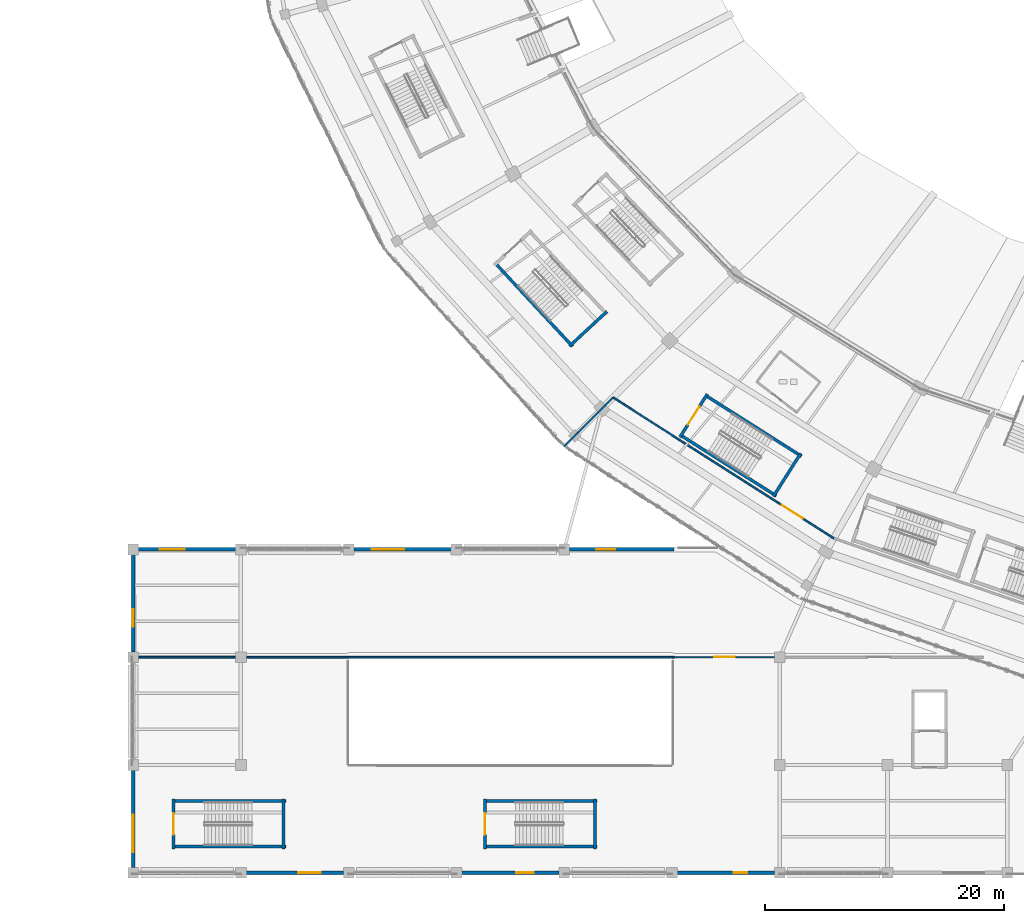
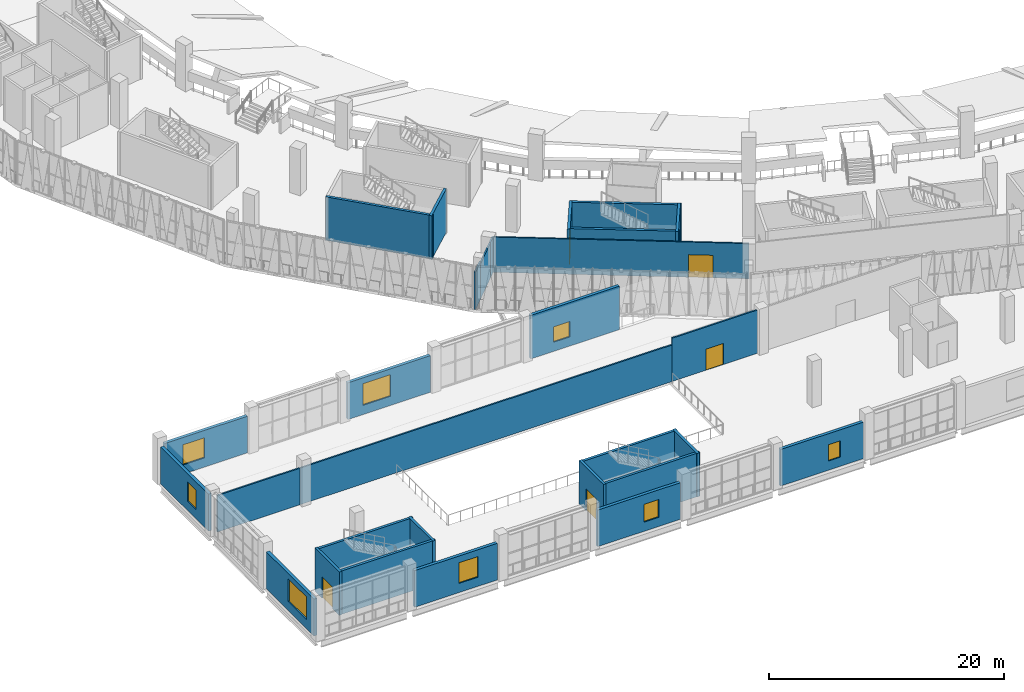
# One storey, part 97 of 183: 29 walls, 8 windows, 5 doors, 13 openings.
"""IFC4 building model written with IfcOpenShell, lengths in metres."""

from ifc_helpers import new_model, si_unit, direction, frame, frame_2d, origin, place, context, subcontext, project, spatial, rectangle, extrude, material, layer, layer_set, type_object, element, fill, save


model = new_model("IFC4")

# Units and contexts
model_context = context("Model", 3, precision=1e-05, world=origin(), true_north=direction((0.0, 1.0)))
body_context = subcontext(model_context, "Body", "Model", "MODEL_VIEW")
ifc_project = project(units=[si_unit("LENGTHUNIT", "METRE"), si_unit("AREAUNIT", "SQUARE_METRE"), si_unit("VOLUMEUNIT", "CUBIC_METRE"), si_unit("PLANEANGLEUNIT", "RADIAN"), si_unit("MASSUNIT", "GRAM", prefix="KILO")], contexts=[model_context])

# Site, building, storey
site_placement = place(None, origin())
site = spatial("IfcSite", under=ifc_project, at=site_placement, CompositionType="ELEMENT")
building_placement = place(site_placement, origin())
building = spatial("IfcBuilding", under=site, at=building_placement, Name="Zevraka Park Crest Stadium", CompositionType="ELEMENT")
storey_placement = place(building_placement, frame((0.0, 0.0, 5.39990234375)))
storey = spatial("IfcBuildingStorey", under=building, at=storey_placement, Name="L01", CompositionType="ELEMENT", Elevation=5.39990234375)

# Wall, opening, window
ifc_material_1 = material(Name="Limestone and red clay brick masonry", Category="masonry")
ifc_layer_1 = layer(ifc_material_1, 0.300048828125)
ifc_layer_set_1 = layer_set([ifc_layer_1], Name="Limestone and red clay brick masonry")
wall_type_1 = type_object("IfcWallType", Name="EW02", PredefinedType="STANDARD", material=ifc_layer_set_1)
wall_1_placement = place(storey_placement, frame((62.574951171875, 0.0, 0.0), z_axis=(0.0, 0.0, 1.0), x_axis=(-1.0, 0.0, 0.0)))
wall_1 = element("IfcWall", 1, at=wall_1_placement, inside=storey, type_object=wall_type_1, Name="Wing External Cavity Wall EW02 L01-SW-S1-3", PredefinedType="STANDARD", context=body_context, shape_type="SweptSolid", body=[
    extrude(rectangle(XDim=8.14990234375, YDim=0.300048828125, at=frame_2d((4.074951171875, 0.0))), origin(), (0.0, 0.0, 1.0), 3.8037109375),
])
opening_1_placement = place(wall_1_placement, frame((2.278076171875, 0.0, 0.949951171875)))
opening_1 = element("IfcOpeningElement", 2, at=opening_1_placement, cuts=wall_1, Name="Opening WN25", PredefinedType="OPENING", context=body_context, shape_type="SweptSolid", body=[
    extrude(rectangle(XDim=1.14990234375, YDim=1.699951171875, at=frame_2d((0.574951171875, 0.85009765625))), frame((0.0, 0.159912109375, 0.0), z_axis=(0.0, -1.0, 0.0), x_axis=(1.0, 0.0, 0.0)), (0.0, 0.0, 1.0), 0.320068359375),
])
ifc_material_2 = material(Name="Solar-control laminated double glazing in aluminium frame", Category="aluminium")
window_type_1 = type_object("IfcWindowType", Name="WN25", PartitioningType="SINGLE_PANEL", PredefinedType="WINDOW", material=ifc_material_2)
window_1_placement = place(opening_1_placement, origin())
window_1 = element("IfcWindow", 3, at=window_1_placement, inside=storey, type_object=window_type_1, Name="Facade Casement Window WN25 W-L01-066", OverallHeight=1.699951171875, OverallWidth=1.14990234375, PartitioningType="SINGLE_PANEL", PredefinedType="WINDOW", context=body_context, shape_type="SweptSolid", body=[
    extrude(rectangle(XDim=1.14990234375, YDim=1.699951171875, at=frame_2d((0.574951171875, 0.85009765625))), frame((0.0, 0.030029296875, 0.0), z_axis=(0.0, -1.0, 0.0), x_axis=(1.0, 0.0, 0.0)), (0.0, 0.0, 1.0), 0.06005859375),
])
fill(opening_1, window_1)

wall_2_placement = place(storey_placement, frame((44.574951171875, 0.0, 0.0), z_axis=(0.0, 0.0, 1.0), x_axis=(-1.0, 0.0, 0.0)))
wall_2 = element("IfcWall", 4, at=wall_2_placement, inside=storey, type_object=wall_type_1, Name="Wing External Cavity Wall EW02 L01-SW-S1-5", PredefinedType="STANDARD", context=body_context, shape_type="SweptSolid", body=[
    extrude(rectangle(XDim=8.14990234375, YDim=0.300048828125, at=frame_2d((4.074951171875, 0.0))), origin(), (0.0, 0.0, 1.0), 3.8037109375),
])
opening_2_placement = place(wall_2_placement, frame((2.1279296875, 0.0, 0.949951171875)))
opening_2 = element("IfcOpeningElement", 5, at=opening_2_placement, cuts=wall_2, Name="Opening WN26", PredefinedType="OPENING", context=body_context, shape_type="SweptSolid", body=[
    extrude(rectangle(XDim=1.449951171875, YDim=1.85009765625, at=frame_2d((0.72509765625, 0.925048828125))), frame((0.0, 0.159912109375, 0.0), z_axis=(0.0, -1.0, 0.0), x_axis=(1.0, 0.0, 0.0)), (0.0, 0.0, 1.0), 0.320068359375),
])
ifc_material_3 = material(Name="Solar-control laminated double glazing in aluminium frame", Category="aluminium")
window_type_2 = type_object("IfcWindowType", Name="WN26", PartitioningType="SINGLE_PANEL", PredefinedType="WINDOW", material=ifc_material_3)
window_2_placement = place(opening_2_placement, origin())
window_2 = element("IfcWindow", 6, at=window_2_placement, inside=storey, type_object=window_type_2, Name="Facade Casement Window WN26 W-L01-067", OverallHeight=1.85009765625, OverallWidth=1.449951171875, PartitioningType="SINGLE_PANEL", PredefinedType="WINDOW", context=body_context, shape_type="SweptSolid", body=[
    extrude(rectangle(XDim=1.449951171875, YDim=1.85009765625, at=frame_2d((0.72509765625, 0.925048828125))), frame((0.0, 0.030029296875, 0.0), z_axis=(0.0, -1.0, 0.0), x_axis=(1.0, 0.0, 0.0)), (0.0, 0.0, 1.0), 0.06005859375),
])
fill(opening_2, window_2)

wall_3_placement = place(storey_placement, frame((26.574951171875, 0.0, 0.0), z_axis=(0.0, 0.0, 1.0), x_axis=(-1.0, 0.0, 0.0)))
wall_3 = element("IfcWall", 7, at=wall_3_placement, inside=storey, type_object=wall_type_1, Name="Wing External Cavity Wall EW02 L01-SW-S1-7", PredefinedType="STANDARD", context=body_context, shape_type="SweptSolid", body=[
    extrude(rectangle(XDim=8.14990234375, YDim=0.300048828125, at=frame_2d((4.074951171875, 0.0))), origin(), (0.0, 0.0, 1.0), 3.8037109375),
])
opening_3_placement = place(wall_3_placement, frame((1.927001953125, 0.0, 0.949951171875)))
opening_3 = element("IfcOpeningElement", 8, at=opening_3_placement, cuts=wall_3, Name="Opening WN27", PredefinedType="OPENING", context=body_context, shape_type="SweptSolid", body=[
    extrude(rectangle(XDim=1.85009765625, YDim=2.14990234375, at=frame_2d((0.925048828125, 1.074951171875))), frame((0.0, 0.159912109375, 0.0), z_axis=(0.0, -1.0, 0.0), x_axis=(1.0, 0.0, 0.0)), (0.0, 0.0, 1.0), 0.320068359375),
])
ifc_material_4 = material(Name="Solar-control laminated double glazing in aluminium frame", Category="aluminium")
window_type_3 = type_object("IfcWindowType", Name="WN27", PartitioningType="SINGLE_PANEL", PredefinedType="WINDOW", material=ifc_material_4)
window_3_placement = place(opening_3_placement, origin())
window_3 = element("IfcWindow", 9, at=window_3_placement, inside=storey, type_object=window_type_3, Name="Facade Casement Window WN27 W-L01-068", OverallHeight=2.14990234375, OverallWidth=1.85009765625, PartitioningType="SINGLE_PANEL", PredefinedType="WINDOW", context=body_context, shape_type="SweptSolid", body=[
    extrude(rectangle(XDim=1.85009765625, YDim=2.14990234375, at=frame_2d((0.925048828125, 1.074951171875))), frame((0.0, 0.030029296875, 0.0), z_axis=(0.0, -1.0, 0.0), x_axis=(1.0, 0.0, 0.0)), (0.0, 0.0, 1.0), 0.06005859375),
])
fill(opening_3, window_3)

wall_4_placement = place(storey_placement, frame((9.0, 0.425048828125, 0.0), z_axis=(0.0, 0.0, 1.0), x_axis=(0.0, 1.0, 0.0)))
wall_4 = element("IfcWall", 10, at=wall_4_placement, inside=storey, type_object=wall_type_1, Name="Wing External Cavity Wall EW02 L01-SW-W-1", PredefinedType="STANDARD", context=body_context, shape_type="SweptSolid", body=[
    extrude(rectangle(XDim=8.14990234375, YDim=0.300048828125, at=frame_2d((4.074951171875, 0.0))), origin(), (0.0, 0.0, 1.0), 3.837158203125),
])
opening_4_placement = place(wall_4_placement, frame((1.302001953125, 0.0, 0.949951171875)))
opening_4 = element("IfcOpeningElement", 11, at=opening_4_placement, cuts=wall_4, Name="Opening WN36", PredefinedType="OPENING", context=body_context, shape_type="SweptSolid", body=[
    extrude(rectangle(XDim=3.10009765625, YDim=2.35009765625, at=frame_2d((1.550048828125, 1.175048828125))), frame((0.0, 0.159912109375, 0.0), z_axis=(0.0, -1.0, 0.0), x_axis=(1.0, 0.0, 0.0)), (0.0, 0.0, 1.0), 0.320068359375),
])
ifc_material_5 = material(Name="Solar-control laminated double glazing in aluminium frame", Category="aluminium")
window_type_4 = type_object("IfcWindowType", Name="WN36", PartitioningType="SINGLE_PANEL", PredefinedType="WINDOW", material=ifc_material_5)
window_4_placement = place(opening_4_placement, origin())
window_4 = element("IfcWindow", 12, at=window_4_placement, inside=storey, type_object=window_type_4, Name="Facade Casement Window WN36 W-L01-077", OverallHeight=2.35009765625, OverallWidth=3.10009765625, PartitioningType="SINGLE_PANEL", PredefinedType="WINDOW", context=body_context, shape_type="SweptSolid", body=[
    extrude(rectangle(XDim=3.10009765625, YDim=2.35009765625, at=frame_2d((1.550048828125, 1.175048828125))), frame((0.0, 0.030029296875, 0.0), z_axis=(0.0, -1.0, 0.0), x_axis=(1.0, 0.0, 0.0)), (0.0, 0.0, 1.0), 0.06005859375),
])
fill(opening_4, window_4)

wall_5_placement = place(storey_placement, frame((9.0, 18.425048828125, 0.0), z_axis=(0.0, 0.0, 1.0), x_axis=(0.0, 1.0, 0.0)))
wall_5 = element("IfcWall", 13, at=wall_5_placement, inside=storey, type_object=wall_type_1, Name="Wing External Cavity Wall EW02 L01-SW-W-3", PredefinedType="STANDARD", context=body_context, shape_type="SweptSolid", body=[
    extrude(rectangle(XDim=8.14990234375, YDim=0.300048828125, at=frame_2d((4.074951171875, 0.0))), origin(), (0.0, 0.0, 1.0), 3.837158203125),
])
opening_5_placement = place(wall_5_placement, frame((2.112060546875, 0.0, 0.949951171875)))
opening_5 = element("IfcOpeningElement", 14, at=opening_5_placement, cuts=wall_5, Name="Opening WN37", PredefinedType="OPENING", context=body_context, shape_type="SweptSolid", body=[
    extrude(rectangle(XDim=1.47998046875, YDim=2.050048828125, at=frame_2d((0.739990234375, 1.02490234375))), frame((0.0, 0.159912109375, 0.0), z_axis=(0.0, -1.0, 0.0), x_axis=(1.0, 0.0, 0.0)), (0.0, 0.0, 1.0), 0.320068359375),
])
ifc_material_6 = material(Name="Solar-control laminated double glazing in aluminium frame", Category="aluminium")
window_type_5 = type_object("IfcWindowType", Name="WN37", PartitioningType="SINGLE_PANEL", PredefinedType="WINDOW", material=ifc_material_6)
window_5_placement = place(opening_5_placement, origin())
window_5 = element("IfcWindow", 15, at=window_5_placement, inside=storey, type_object=window_type_5, Name="Facade Casement Window WN37 W-L01-078", OverallHeight=2.050048828125, OverallWidth=1.47998046875, PartitioningType="SINGLE_PANEL", PredefinedType="WINDOW", context=body_context, shape_type="SweptSolid", body=[
    extrude(rectangle(XDim=1.47998046875, YDim=2.050048828125, at=frame_2d((0.739990234375, 1.02490234375))), frame((0.0, 0.030029296875, 0.0), z_axis=(0.0, -1.0, 0.0), x_axis=(1.0, 0.0, 0.0)), (0.0, 0.0, 1.0), 0.06005859375),
])
fill(opening_5, window_5)

wall_6_placement = place(storey_placement, frame((9.425048828125, 27.0, 0.0), z_axis=(0.0, 0.0, 1.0), x_axis=(1.0, 0.0, 0.0)))
wall_6 = element("IfcWall", 16, at=wall_6_placement, inside=storey, type_object=wall_type_1, Name="Wing External Cavity Wall EW02 L01-SW-N-1", PredefinedType="STANDARD", context=body_context, shape_type="SweptSolid", body=[
    extrude(rectangle(XDim=8.14990234375, YDim=0.300048828125, at=frame_2d((4.074951171875, 0.0))), origin(), (0.0, 0.0, 1.0), 3.8037109375),
])
opening_6_placement = place(wall_6_placement, frame((1.802001953125, 0.0, 0.949951171875)))
opening_6 = element("IfcOpeningElement", 17, at=opening_6_placement, cuts=wall_6, Name="Opening WN06", PredefinedType="OPENING", context=body_context, shape_type="SweptSolid", body=[
    extrude(rectangle(XDim=2.10009765625, YDim=2.10009765625, at=frame_2d((1.050048828125, 1.050048828125))), frame((0.0, 0.159912109375, 0.0), z_axis=(0.0, -1.0, 0.0), x_axis=(1.0, 0.0, 0.0)), (0.0, 0.0, 1.0), 0.320068359375),
])
ifc_material_7 = material(Name="Solar-control laminated double glazing in aluminium frame", Category="aluminium")
window_type_6 = type_object("IfcWindowType", Name="WN06", PartitioningType="SINGLE_PANEL", PredefinedType="WINDOW", material=ifc_material_7)
window_6_placement = place(opening_6_placement, origin())
window_6 = element("IfcWindow", 18, at=window_6_placement, inside=storey, type_object=window_type_6, Name="Facade Casement Window WN06 W-L01-088", OverallHeight=2.10009765625, OverallWidth=2.10009765625, PartitioningType="SINGLE_PANEL", PredefinedType="WINDOW", context=body_context, shape_type="SweptSolid", body=[
    extrude(rectangle(XDim=2.10009765625, YDim=2.10009765625, at=frame_2d((1.050048828125, 1.050048828125))), frame((0.0, 0.030029296875, 0.0), z_axis=(0.0, -1.0, 0.0), x_axis=(1.0, 0.0, 0.0)), (0.0, 0.0, 1.0), 0.06005859375),
])
fill(opening_6, window_6)

wall_7_placement = place(storey_placement, frame((27.425048828125, 27.0, 0.0), z_axis=(0.0, 0.0, 1.0), x_axis=(1.0, 0.0, 0.0)))
wall_7 = element("IfcWall", 19, at=wall_7_placement, inside=storey, type_object=wall_type_1, Name="Wing External Cavity Wall EW02 L01-SW-N-3", PredefinedType="STANDARD", context=body_context, shape_type="SweptSolid", body=[
    extrude(rectangle(XDim=8.14990234375, YDim=0.300048828125, at=frame_2d((4.074951171875, 0.0))), origin(), (0.0, 0.0, 1.0), 3.8037109375),
])
opening_7_placement = place(wall_7_placement, frame((1.5029296875, 0.0, 0.949951171875)))
opening_7 = element("IfcOpeningElement", 20, at=opening_7_placement, cuts=wall_7, Name="Opening WN07", PredefinedType="OPENING", context=body_context, shape_type="SweptSolid", body=[
    extrude(rectangle(XDim=2.699951171875, YDim=2.25, at=frame_2d((1.35009765625, 1.125))), frame((0.0, 0.159912109375, 0.0), z_axis=(0.0, -1.0, 0.0), x_axis=(1.0, 0.0, 0.0)), (0.0, 0.0, 1.0), 0.320068359375),
])
ifc_material_8 = material(Name="Solar-control laminated double glazing in aluminium frame", Category="aluminium")
window_type_7 = type_object("IfcWindowType", Name="WN07", PartitioningType="SINGLE_PANEL", PredefinedType="WINDOW", material=ifc_material_8)
window_7_placement = place(opening_7_placement, origin())
window_7 = element("IfcWindow", 21, at=window_7_placement, inside=storey, type_object=window_type_7, Name="Facade Casement Window WN07 W-L01-089", OverallHeight=2.25, OverallWidth=2.699951171875, PartitioningType="SINGLE_PANEL", PredefinedType="WINDOW", context=body_context, shape_type="SweptSolid", body=[
    extrude(rectangle(XDim=2.699951171875, YDim=2.25, at=frame_2d((1.35009765625, 1.125))), frame((0.0, 0.030029296875, 0.0), z_axis=(0.0, -1.0, 0.0), x_axis=(1.0, 0.0, 0.0)), (0.0, 0.0, 1.0), 0.06005859375),
])
fill(opening_7, window_7)

wall_8_placement = place(storey_placement, frame((45.425048828125, 27.0, 0.0), z_axis=(0.0, 0.0, 1.0), x_axis=(1.0, 0.0, 0.0)))
wall_8 = element("IfcWall", 22, at=wall_8_placement, inside=storey, type_object=wall_type_1, Name="Wing External Cavity Wall EW02 L01-SW-N-5", PredefinedType="STANDARD", context=body_context, shape_type="SweptSolid", body=[
    extrude(rectangle(XDim=8.724853515625, YDim=0.300048828125, at=frame_2d((4.3623046875, 0.0))), origin(), (0.0, 0.0, 1.0), 4.52001953125),
])
opening_8_placement = place(wall_8_placement, frame((2.25390625, 0.0, 0.949951171875)))
opening_8 = element("IfcOpeningElement", 23, at=opening_8_placement, cuts=wall_8, Name="Opening WN08", PredefinedType="OPENING", context=body_context, shape_type="SweptSolid", body=[
    extrude(rectangle(XDim=1.60009765625, YDim=1.60009765625, at=frame_2d((0.800048828125, 0.800048828125))), frame((0.0, 0.159912109375, 0.0), z_axis=(0.0, -1.0, 0.0), x_axis=(1.0, 0.0, 0.0)), (0.0, 0.0, 1.0), 0.320068359375),
])
ifc_material_9 = material(Name="Solar-control laminated double glazing in aluminium frame", Category="aluminium")
window_type_8 = type_object("IfcWindowType", Name="WN08", PartitioningType="SINGLE_PANEL", PredefinedType="WINDOW", material=ifc_material_9)
window_8_placement = place(opening_8_placement, origin())
window_8 = element("IfcWindow", 24, at=window_8_placement, inside=storey, type_object=window_type_8, Name="Facade Casement Window WN08 W-L01-090", OverallHeight=1.60009765625, OverallWidth=1.60009765625, PartitioningType="SINGLE_PANEL", PredefinedType="WINDOW", context=body_context, shape_type="SweptSolid", body=[
    extrude(rectangle(XDim=1.60009765625, YDim=1.60009765625, at=frame_2d((0.800048828125, 0.800048828125))), frame((0.0, 0.030029296875, 0.0), z_axis=(0.0, -1.0, 0.0), x_axis=(1.0, 0.0, 0.0)), (0.0, 0.0, 1.0), 0.06005859375),
])
fill(opening_8, window_8)

# Wall, opening, door
ifc_material_10 = material(Name="Fire-rated twin-stud acoustic drywall", Category="other")
ifc_layer_2 = layer(ifc_material_10, 0.139892578125)
ifc_layer_set_2 = layer_set([ifc_layer_2], Name="Fire-rated twin-stud acoustic drywall")
wall_type_2 = type_object("IfcWallType", Name="IW03", PredefinedType="PARTITIONING", material=ifc_layer_set_2)
wall_9_placement = place(storey_placement, frame((49.08203125, 39.68798828125, 0.0), z_axis=(0.0, 0.0, 1.0), x_axis=(0.843035459997, -0.537857986077, 0.0)))
wall_9 = element("IfcWall", 25, at=wall_9_placement, inside=storey, type_object=wall_type_2, Name="Interior Partition IW03 Spectator First-Aid Suite L01", PredefinedType="PARTITIONING", context=body_context, shape_type="SweptSolid", body=[
    extrude(rectangle(XDim=21.859130859375, YDim=0.139892578125, at=frame_2d((10.9296875, 0.0))), origin(), (0.0, 0.0, 1.0), 3.6650390625),
])
opening_9_placement = place(wall_9_placement, frame((16.697998046875, 0.0, 0.0)))
opening_9 = element("IfcOpeningElement", 26, at=opening_9_placement, cuts=wall_9, Name="Opening D-L01-378", PredefinedType="OPENING", context=body_context, shape_type="SweptSolid", body=[
    extrude(rectangle(XDim=2.10009765625, YDim=2.35009765625, at=frame_2d((1.050048828125, 1.175048828125))), frame((0.0, 0.079833984375, 0.0), z_axis=(0.0, -1.0, 0.0), x_axis=(1.0, 0.0, 0.0)), (0.0, 0.0, 1.0), 0.159912109375),
])
ifc_material_11 = material(Name="Solid-core hardwood timber leaf in steel frame", Category="steel")
door_type_1 = type_object("IfcDoorType", Name="DR17", OperationType="NOTDEFINED", PredefinedType="DOOR", material=ifc_material_11)
door_1_placement = place(opening_9_placement, origin())
door_1 = element("IfcDoor", 27, at=door_1_placement, inside=storey, type_object=door_type_1, Name="Spectator First-Aid Suite Door D-L01-378", OperationType="DOUBLE_DOOR_SINGLE_SWING", OverallHeight=2.35009765625, OverallWidth=2.10009765625, PredefinedType="DOOR", context=body_context, shape_type="SweptSolid", body=[
    extrude(rectangle(XDim=2.10009765625, YDim=2.35009765625, at=frame_2d((1.050048828125, 1.175048828125))), frame((0.0, 0.02490234375, 0.0), z_axis=(0.0, -1.0, 0.0), x_axis=(1.0, 0.0, 0.0)), (0.0, 0.0, 1.0), 0.050048828125),
])
fill(opening_9, door_1)

# Walls
wall_10_placement = place(storey_placement, frame((49.08203125, 39.68798828125, 0.0), z_axis=(0.0, 0.0, 1.0), x_axis=(-0.707237352097, -0.706976186162, 0.0)))
element("IfcWall", 28, at=wall_10_placement, inside=storey, type_object=wall_type_2, Name="Interior Partition IW03 Spectator First-Aid Suite L01", PredefinedType="PARTITIONING", context=body_context, shape_type="SweptSolid", body=[
    extrude(rectangle(XDim=0.934814453125, YDim=0.139892578125, at=frame_2d((0.46728515625, 0.0))), origin(), (0.0, 0.0, 1.0), 3.6650390625),
])
wall_11_placement = place(storey_placement, frame((48.431884765625, 39.037109375, 0.0), z_axis=(0.0, 0.0, 1.0), x_axis=(-0.70740812646, -0.706805307435, 0.0)))
element("IfcWall", 29, at=wall_11_placement, inside=storey, type_object=wall_type_2, Name="Interior Partition IW03 Spectator First-Aid Suite L01", PredefinedType="PARTITIONING", context=body_context, shape_type="SweptSolid", body=[
    extrude(rectangle(XDim=3.239990234375, YDim=0.139892578125, at=frame_2d((1.6201171875, 0.0))), origin(), (0.0, 0.0, 1.0), 3.6650390625),
])
wall_12_placement = place(storey_placement, frame((46.15087890625, 36.758056640625, 0.0), z_axis=(0.0, 0.0, 1.0), x_axis=(-0.707033932397, -0.707179622472, 0.0)))
element("IfcWall", 30, at=wall_12_placement, inside=storey, type_object=wall_type_2, Name="Interior Partition IW03 Spectator First-Aid Suite L01", PredefinedType="PARTITIONING", context=body_context, shape_type="SweptSolid", body=[
    extrude(rectangle(XDim=1.67578125, YDim=0.139892578125, at=frame_2d((0.837890625, 0.0))), origin(), (0.0, 0.0, 1.0), 3.9150390625),
])
ifc_material_12 = material(Name="Fire-rated twin-stud acoustic drywall", Category="other")
ifc_layer_3 = layer(ifc_material_12, 0.14990234375)
ifc_layer_set_3 = layer_set([ifc_layer_3], Name="Fire-rated twin-stud acoustic drywall")
wall_type_3 = type_object("IfcWallType", Name="IW05", PredefinedType="PARTITIONING", material=ifc_layer_set_3)
wall_13_placement = place(storey_placement, frame((9.43505859375, 18.0, 0.0), z_axis=(0.0, 0.0, 1.0), x_axis=(1.0, 0.0, 0.0)))
element("IfcWall", 31, at=wall_13_placement, inside=storey, type_object=wall_type_3, Name="Interior Partition IW05 Broadcast Technical Operations Compound L01", PredefinedType="PARTITIONING", context=body_context, shape_type="SweptSolid", body=[
    extrude(rectangle(XDim=8.1298828125, YDim=0.14990234375, at=frame_2d((4.06494140625, 0.0))), origin(), (0.0, 0.0, 1.0), 3.8037109375),
])
wall_14_placement = place(storey_placement, frame((17.550048828125, 18.0, 0.0), z_axis=(0.0, 0.0, 1.0), x_axis=(1.0, 0.0, 0.0)))
element("IfcWall", 32, at=wall_14_placement, inside=storey, type_object=wall_type_3, Name="Interior Partition IW05 Broadcast Technical Operations Compound L01", PredefinedType="PARTITIONING", context=body_context, shape_type="SweptSolid", body=[
    extrude(rectangle(XDim=36.64990234375, YDim=0.14990234375, at=frame_2d((18.324951171875, 0.0))), origin(), (0.0, 0.0, 1.0), 3.8037109375),
])

# Wall, opening, door
wall_15_placement = place(storey_placement, frame((54.199951171875, 18.0, 0.0), z_axis=(0.0, 0.0, 1.0), x_axis=(1.0, 0.0, 0.0)))
wall_15 = element("IfcWall", 33, at=wall_15_placement, inside=storey, type_object=wall_type_3, Name="Interior Partition IW05 Broadcast Technical Operations Compound L01", PredefinedType="PARTITIONING", context=body_context, shape_type="SweptSolid", body=[
    extrude(rectangle(XDim=8.364990234375, YDim=0.14990234375, at=frame_2d((4.1826171875, 0.0))), origin(), (0.0, 0.0, 1.0), 4.5),
])
opening_10_placement = place(wall_15_placement, frame((3.33203125, 0.0, 0.0)))
opening_10 = element("IfcOpeningElement", 34, at=opening_10_placement, cuts=wall_15, Name="Opening D-L01-391", PredefinedType="OPENING", context=body_context, shape_type="SweptSolid", body=[
    extrude(rectangle(XDim=1.699951171875, YDim=2.199951171875, at=frame_2d((0.85009765625, 1.10009765625))), frame((0.0, 0.0849609375, 0.0), z_axis=(0.0, -1.0, 0.0), x_axis=(1.0, 0.0, 0.0)), (0.0, 0.0, 1.0), 0.169921875),
])
ifc_material_13 = material(Name="Solid-core hardwood timber leaf in steel frame", Category="steel")
door_type_2 = type_object("IfcDoorType", Name="DR14", OperationType="NOTDEFINED", PredefinedType="DOOR", material=ifc_material_13)
door_2_placement = place(opening_10_placement, origin())
door_2 = element("IfcDoor", 35, at=door_2_placement, inside=storey, type_object=door_type_2, Name="Broadcast Technical Operations Compound Door D-L01-391", OperationType="DOUBLE_DOOR_SINGLE_SWING", OverallHeight=2.199951171875, OverallWidth=1.699951171875, PredefinedType="DOOR", context=body_context, shape_type="SweptSolid", body=[
    extrude(rectangle(XDim=1.699951171875, YDim=2.199951171875, at=frame_2d((0.85009765625, 1.10009765625))), frame((0.0, 0.02490234375, 0.0), z_axis=(0.0, -1.0, 0.0), x_axis=(1.0, 0.0, 0.0)), (0.0, 0.0, 1.0), 0.050048828125),
])
fill(opening_10, door_2)

# Walls
ifc_material_14 = material(Name="Concrete C40/50", Category="concrete")
ifc_layer_4 = layer(ifc_material_14, 0.25)
ifc_layer_set_4 = layer_set([ifc_layer_4], Name="Concrete C40/50")
wall_type_4 = type_object("IfcWallType", Name="SW01", PredefinedType="SHEAR", material=ifc_layer_set_4)
wall_16_placement = place(storey_placement, frame((39.1982421875, 50.952880859375, 0.0), z_axis=(0.0, 0.0, 1.0), x_axis=(0.680258890476, -0.732971924379, 0.0)))
element("IfcWall", 36, at=wall_16_placement, inside=storey, type_object=wall_type_4, Name="Stair Core Shear Wall SW01 ST15 L01 left", PredefinedType="SHEAR", context=body_context, shape_type="SweptSolid", body=[
    extrude(rectangle(XDim=9.550048828125, YDim=0.25, at=frame_2d((4.77490234375, 0.0))), origin(), (0.0, 0.0, 1.0), 4.52001953125),
])
wall_17_placement = place(storey_placement, frame((45.4443359375, 43.972900390625, 0.0), z_axis=(0.0, 0.0, 1.0), x_axis=(0.73295064559, 0.680281817433, 0.0)))
element("IfcWall", 37, at=wall_17_placement, inside=storey, type_object=wall_type_4, Name="Stair Core Shear Wall SW01 ST15 L01 far", PredefinedType="SHEAR", context=body_context, shape_type="SweptSolid", body=[
    extrude(rectangle(XDim=4.260009765625, YDim=0.25, at=frame_2d((2.1298828125, 0.0))), origin(), (0.0, 0.0, 1.0), 4.52001953125),
])
for number, where, z_axis, x_axis, name in (
    (38, (54.650146484375, 36.58544921875, 0.0), (0.0, 0.0, 1.0), (0.844391246241, -0.535727004427, 0.0), "Stair Core Shear Wall SW01 ST16 L01 left"),
    (39, (64.81396484375, 34.779296875, 0.0), (0.0, 0.0, 1.0), (-0.844391246241, 0.535727004427, 0.0), "Stair Core Shear Wall SW01 ST16 L01 right"),
):
    element("IfcWall", number, at=place(storey_placement, frame(where, z_axis=z_axis, x_axis=x_axis)), inside=storey, type_object=wall_type_4, Name=name, PredefinedType="SHEAR", context=body_context, shape_type="SweptSolid", body=[
        extrude(rectangle(XDim=9.550048828125, YDim=0.25, at=frame_2d((4.77490234375, 0.0))), origin(), (0.0, 0.0, 1.0), 4.52001953125),
    ])

# Wall, opening, door
wall_18_placement = place(storey_placement, frame((56.94677734375, 39.971923828125, 0.0), z_axis=(0.0, 0.0, 1.0), x_axis=(-0.53572544074, -0.844392238325, 0.0)))
wall_18 = element("IfcWall", 40, at=wall_18_placement, inside=storey, type_object=wall_type_4, Name="Stair Core Shear Wall SW01 ST16 L01 near", PredefinedType="SHEAR", context=body_context, shape_type="SweptSolid", body=[
    extrude(rectangle(XDim=4.260009765625, YDim=0.25, at=frame_2d((2.1298828125, 0.0))), origin(), (0.0, 0.0, 1.0), 4.52001953125),
])
opening_11_placement = place(wall_18_placement, frame((1.22998046875, 0.0, 0.0)))
opening_11 = element("IfcOpeningElement", 41, at=opening_11_placement, cuts=wall_18, Name="Opening D-L01-095", PredefinedType="OPENING", context=body_context, shape_type="SweptSolid", body=[
    extrude(rectangle(XDim=1.800048828125, YDim=2.25, at=frame_2d((0.89990234375, 1.125))), frame((0.0, 0.135009765625, 0.0), z_axis=(0.0, -1.0, 0.0), x_axis=(1.0, 0.0, 0.0)), (0.0, 0.0, 1.0), 0.27001953125),
])
ifc_material_15 = material(Name="Solid-core hardwood timber leaf in steel frame", Category="steel")
door_type_3 = type_object("IfcDoorType", Name="DR04", OperationType="NOTDEFINED", PredefinedType="DOOR", material=ifc_material_15)
door_3_placement = place(opening_11_placement, origin())
door_3 = element("IfcDoor", 42, at=door_3_placement, inside=storey, type_object=door_type_3, Name="Protected Stair Entry Door ST16 L01", OperationType="DOUBLE_DOOR_SINGLE_SWING", OverallHeight=2.25, OverallWidth=1.800048828125, PredefinedType="DOOR", context=body_context, shape_type="SweptSolid", body=[
    extrude(rectangle(XDim=1.800048828125, YDim=2.25, at=frame_2d((0.89990234375, 1.125))), frame((0.0, 0.02490234375, 0.0), z_axis=(0.0, -1.0, 0.0), x_axis=(1.0, 0.0, 0.0)), (0.0, 0.0, 1.0), 0.050048828125),
])
fill(opening_11, door_3)

# Walls
wall_19_placement = place(storey_placement, frame((62.466796875, 31.4248046875, 0.0), z_axis=(0.0, 0.0, 1.0), x_axis=(0.53572544074, 0.844392238325, 0.0)))
element("IfcWall", 43, at=wall_19_placement, inside=storey, type_object=wall_type_4, Name="Stair Core Shear Wall SW01 ST16 L01 far", PredefinedType="SHEAR", context=body_context, shape_type="SweptSolid", body=[
    extrude(rectangle(XDim=4.260009765625, YDim=0.25, at=frame_2d((2.1298828125, 0.0))), origin(), (0.0, 0.0, 1.0), 4.52001953125),
])
for number, where, z_axis, x_axis, name in (
    (44, (12.25, 2.169921875, 0.0), (0.0, 0.0, 1.0), (1.0, 0.0, 0.0), "Stair Core Shear Wall SW01 ST51 L01 left"),
    (45, (21.75, 5.989990234375, 0.0), (0.0, 0.0, 1.0), (-1.0, 0.0, 0.0), "Stair Core Shear Wall SW01 ST51 L01 right"),
):
    element("IfcWall", number, at=place(storey_placement, frame(where, z_axis=z_axis, x_axis=x_axis)), inside=storey, type_object=wall_type_4, Name=name, PredefinedType="SHEAR", context=body_context, shape_type="SweptSolid", body=[
        extrude(rectangle(XDim=9.5, YDim=0.25, at=frame_2d((4.75, 0.0))), origin(), (0.0, 0.0, 1.0), 4.52001953125),
    ])

# Wall, opening, door
wall_20_placement = place(storey_placement, frame((12.375, 6.159912109375, 0.0), z_axis=(0.0, 0.0, 1.0), x_axis=(0.0, -1.0, 0.0)))
wall_20 = element("IfcWall", 46, at=wall_20_placement, inside=storey, type_object=wall_type_4, Name="Stair Core Shear Wall SW01 ST51 L01 near", PredefinedType="SHEAR", context=body_context, shape_type="SweptSolid", body=[
    extrude(rectangle(XDim=4.159912109375, YDim=0.25, at=frame_2d((2.080078125, 0.0))), origin(), (0.0, 0.0, 1.0), 4.52001953125),
])
opening_12_placement = place(wall_20_placement, frame((1.179931640625, 0.0, 0.0)))
opening_12 = element("IfcOpeningElement", 47, at=opening_12_placement, cuts=wall_20, Name="Opening D-L01-265", PredefinedType="OPENING", context=body_context, shape_type="SweptSolid", body=[
    extrude(rectangle(XDim=1.800048828125, YDim=2.25, at=frame_2d((0.89990234375, 1.125))), frame((0.0, 0.135009765625, 0.0), z_axis=(0.0, -1.0, 0.0), x_axis=(1.0, 0.0, 0.0)), (0.0, 0.0, 1.0), 0.27001953125),
])
door_4_placement = place(opening_12_placement, origin())
door_4 = element("IfcDoor", 48, at=door_4_placement, inside=storey, type_object=door_type_3, Name="Protected Stair Entry Door ST51 L01", OperationType="DOUBLE_DOOR_SINGLE_SWING", OverallHeight=2.25, OverallWidth=1.800048828125, PredefinedType="DOOR", context=body_context, shape_type="SweptSolid", body=[
    extrude(rectangle(XDim=1.800048828125, YDim=2.25, at=frame_2d((0.89990234375, 1.125))), frame((0.0, 0.02490234375, 0.0), z_axis=(0.0, -1.0, 0.0), x_axis=(1.0, 0.0, 0.0)), (0.0, 0.0, 1.0), 0.050048828125),
])
fill(opening_12, door_4)

# Walls
wall_21_placement = place(storey_placement, frame((21.56494140625, 2.0, 0.0), z_axis=(0.0, 0.0, 1.0), x_axis=(0.0, 1.0, 0.0)))
element("IfcWall", 49, at=wall_21_placement, inside=storey, type_object=wall_type_4, Name="Stair Core Shear Wall SW01 ST51 L01 far", PredefinedType="SHEAR", context=body_context, shape_type="SweptSolid", body=[
    extrude(rectangle(XDim=4.159912109375, YDim=0.25, at=frame_2d((2.080078125, 0.0))), origin(), (0.0, 0.0, 1.0), 4.52001953125),
])
for number, where, z_axis, x_axis, name in (
    (50, (38.25, 2.169921875, 0.0), (0.0, 0.0, 1.0), (1.0, 0.0, 0.0), "Stair Core Shear Wall SW01 ST52 L01 left"),
    (51, (47.75, 5.989990234375, 0.0), (0.0, 0.0, 1.0), (-1.0, 0.0, 0.0), "Stair Core Shear Wall SW01 ST52 L01 right"),
):
    element("IfcWall", number, at=place(storey_placement, frame(where, z_axis=z_axis, x_axis=x_axis)), inside=storey, type_object=wall_type_4, Name=name, PredefinedType="SHEAR", context=body_context, shape_type="SweptSolid", body=[
        extrude(rectangle(XDim=9.5, YDim=0.25, at=frame_2d((4.75, 0.0))), origin(), (0.0, 0.0, 1.0), 4.52001953125),
    ])

# Wall, opening, door
wall_22_placement = place(storey_placement, frame((38.375, 6.159912109375, 0.0), z_axis=(0.0, 0.0, 1.0), x_axis=(0.0, -1.0, 0.0)))
wall_22 = element("IfcWall", 52, at=wall_22_placement, inside=storey, type_object=wall_type_4, Name="Stair Core Shear Wall SW01 ST52 L01 near", PredefinedType="SHEAR", context=body_context, shape_type="SweptSolid", body=[
    extrude(rectangle(XDim=4.159912109375, YDim=0.25, at=frame_2d((2.080078125, 0.0))), origin(), (0.0, 0.0, 1.0), 4.52001953125),
])
opening_13_placement = place(wall_22_placement, frame((1.179931640625, 0.0, 0.0)))
opening_13 = element("IfcOpeningElement", 53, at=opening_13_placement, cuts=wall_22, Name="Opening D-L01-270", PredefinedType="OPENING", context=body_context, shape_type="SweptSolid", body=[
    extrude(rectangle(XDim=1.800048828125, YDim=2.25, at=frame_2d((0.89990234375, 1.125))), frame((0.0, 0.135009765625, 0.0), z_axis=(0.0, -1.0, 0.0), x_axis=(1.0, 0.0, 0.0)), (0.0, 0.0, 1.0), 0.27001953125),
])
door_5_placement = place(opening_13_placement, origin())
door_5 = element("IfcDoor", 54, at=door_5_placement, inside=storey, type_object=door_type_3, Name="Protected Stair Entry Door ST52 L01", OperationType="DOUBLE_DOOR_SINGLE_SWING", OverallHeight=2.25, OverallWidth=1.800048828125, PredefinedType="DOOR", context=body_context, shape_type="SweptSolid", body=[
    extrude(rectangle(XDim=1.800048828125, YDim=2.25, at=frame_2d((0.89990234375, 1.125))), frame((0.0, 0.02490234375, 0.0), z_axis=(0.0, -1.0, 0.0), x_axis=(1.0, 0.0, 0.0)), (0.0, 0.0, 1.0), 0.050048828125),
])
fill(opening_13, door_5)

# Wall
wall_23_placement = place(storey_placement, frame((47.56494140625, 2.0, 0.0), z_axis=(0.0, 0.0, 1.0), x_axis=(0.0, 1.0, 0.0)))
element("IfcWall", 55, at=wall_23_placement, inside=storey, type_object=wall_type_4, Name="Stair Core Shear Wall SW01 ST52 L01 far", PredefinedType="SHEAR", context=body_context, shape_type="SweptSolid", body=[
    extrude(rectangle(XDim=4.159912109375, YDim=0.25, at=frame_2d((2.080078125, 0.0))), origin(), (0.0, 0.0, 1.0), 4.52001953125),
])

save(model, "model.ifc")
